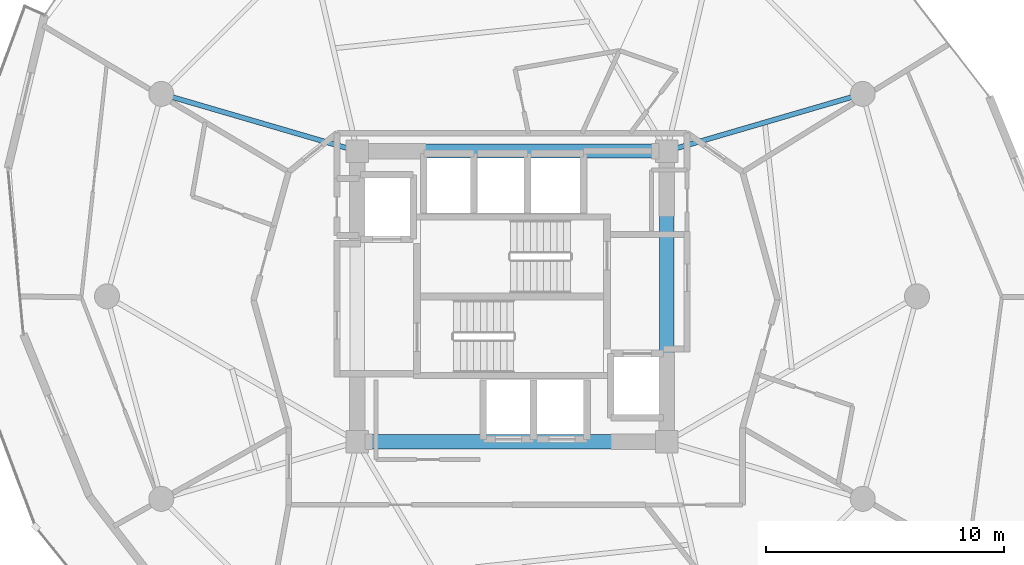
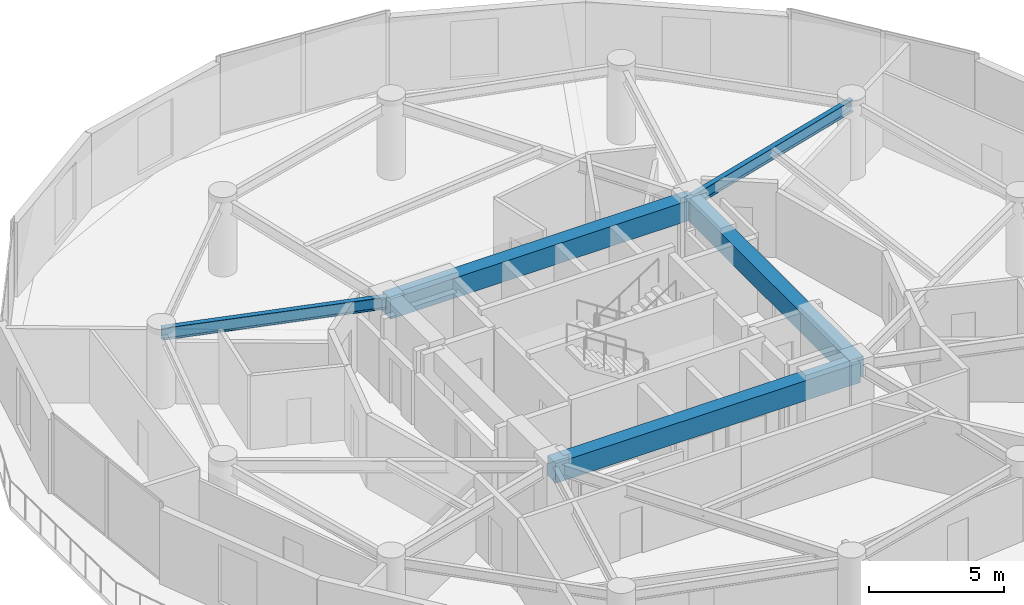
# One storey, part 8 of 22: 5 beams.
"""IFC4 building model written with IfcOpenShell, lengths in metres."""

from ifc_helpers import new_model, si_unit, direction, frame, origin, origin_2d, place, context, subcontext, project, spatial, rectangle, i_section, extrude, material, material_profile, profile_set, type_object, element, save


model = new_model("IFC4")

# Units and contexts
model_context = context("Model", 3, precision=1e-05, world=origin(), true_north=direction((0.0, 1.0)))
body_context = subcontext(model_context, "Body", "Model", "MODEL_VIEW")
ifc_project = project(units=[si_unit("LENGTHUNIT", "METRE"), si_unit("AREAUNIT", "SQUARE_METRE"), si_unit("VOLUMEUNIT", "CUBIC_METRE"), si_unit("PLANEANGLEUNIT", "RADIAN"), si_unit("MASSUNIT", "GRAM", prefix="KILO")], contexts=[model_context])

# Site, building, storey
site_placement = place(None, origin())
site = spatial("IfcSite", under=ifc_project, at=site_placement, CompositionType="ELEMENT")
building_placement = place(site_placement, origin())
building = spatial("IfcBuilding", under=site, at=building_placement, Name="Solvirekh Grand Hotel", CompositionType="ELEMENT")
storey_placement = place(building_placement, frame((0.0, 0.0, 145.800048828125)))
storey = spatial("IfcBuildingStorey", under=building, at=storey_placement, Name="L37", CompositionType="ELEMENT", Elevation=145.800048828125)

# Beams
ifc_material_1 = material(Name="Concrete C50/60", Category="concrete")
ifc_material_profile_1 = material_profile(ifc_material_1, rectangle(XDim=0.60009765625, YDim=0.89990234375, at=origin_2d()), Name="RC BEAM 600X900")
ifc_profile_set_1 = profile_set([ifc_material_profile_1], Name="Concrete C50/60")
beam_type_1 = type_object("IfcBeamType", Name="Beam_Core_RC900", PredefinedType="BEAM", material=ifc_profile_set_1)
beam_1_placement = place(storey_placement, frame((-6.5, -6.10009765625, 2.89990234375), z_axis=(1.0, 0.0, 0.0), x_axis=(0.0, 1.0, 0.0)))
element("IfcBeam", 1, at=beam_1_placement, inside=storey, type_object=beam_type_1, Name="L37 core coupling ring beam 1", PredefinedType="BEAM", context=body_context, shape_type="SweptSolid", body=[
    extrude(rectangle(XDim=0.60009765625, YDim=0.89990234375, at=origin_2d()), origin(), (0.0, 0.0, 1.0), 13.0),
])
beam_2_placement = place(storey_placement, frame((6.5, -6.10009765625, 2.89990234375), z_axis=(0.0, 1.0, 0.0), x_axis=(-1.0, 0.0, 0.0)))
element("IfcBeam", 2, at=beam_2_placement, inside=storey, type_object=beam_type_1, Name="L37 core coupling ring beam 2", PredefinedType="BEAM", context=body_context, shape_type="SweptSolid", body=[
    extrude(rectangle(XDim=0.60009765625, YDim=0.89990234375, at=origin_2d()), origin(), (0.0, 0.0, 1.0), 12.2001953125),
])
beam_3_placement = place(storey_placement, frame((6.5, 6.10009765625, 2.89990234375), z_axis=(-1.0, 0.0, 0.0), x_axis=(0.0, -1.0, 0.0)))
element("IfcBeam", 3, at=beam_3_placement, inside=storey, type_object=beam_type_1, Name="L37 core coupling ring beam 3", PredefinedType="BEAM", context=body_context, shape_type="SweptSolid", body=[
    extrude(rectangle(XDim=0.60009765625, YDim=0.89990234375, at=origin_2d()), origin(), (0.0, 0.0, 1.0), 13.0),
])
ifc_material_2 = material(Name="Steel S355", Category="steel")
ifc_material_profile_2 = material_profile(ifc_material_2, i_section(OverallWidth=0.2119140625, OverallDepth=0.5439453125, WebThickness=0.011962890625, FlangeThickness=0.01904296875, FilletRadius=0.013916015625, at=origin_2d()), Name="W530X123")
ifc_profile_set_2 = profile_set([ifc_material_profile_2], Name="Steel S355")
beam_type_2 = type_object("IfcBeamType", Name="Beam_Radial_W530H", PredefinedType="BEAM", material=ifc_profile_set_2)
for number, where, z_axis, x_axis, name in (
    (4, (6.5, 6.10009765625, 3.077880859375), (0.959942195467, 0.28019811092, 0.0), (-0.28019811092, 0.959942195467, 0.0), "L37 radial floor beam R02"),
    (5, (-6.5, 6.10009765625, 3.077880859375), (-0.959942195467, 0.28019811092, 0.0), (-0.28019811092, -0.959942195467, 0.0), "L37 radial floor beam R06"),
):
    element("IfcBeam", number, at=place(storey_placement, frame(where, z_axis=z_axis, x_axis=x_axis)), inside=storey, type_object=beam_type_2, Name=name, PredefinedType="BEAM", context=body_context, shape_type="SweptSolid", body=[
        extrude(i_section(OverallWidth=0.2119140625, OverallDepth=0.5439453125, WebThickness=0.011962890625, FlangeThickness=0.01904296875, FilletRadius=0.013916015625, at=origin_2d()), origin(), (0.0, 0.0, 1.0), 8.56494140625),
    ])

save(model, "model.ifc")
